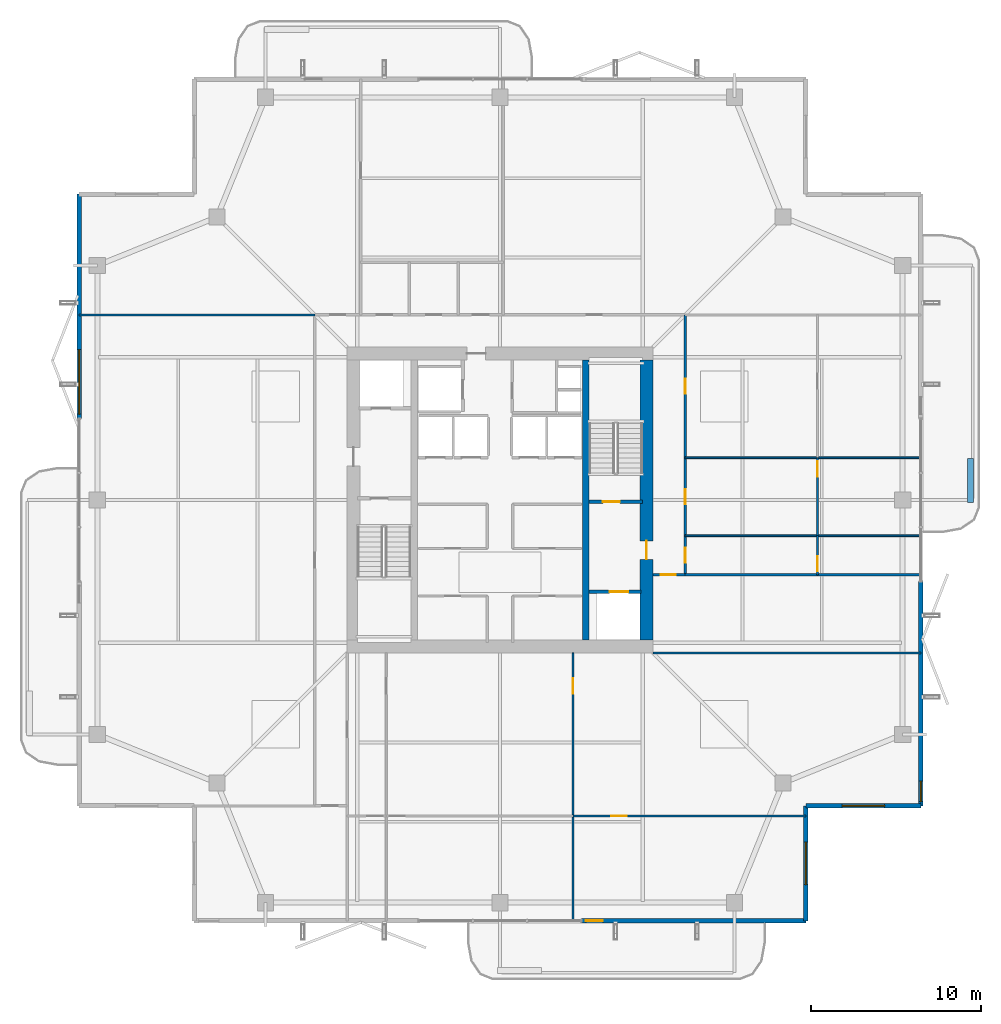
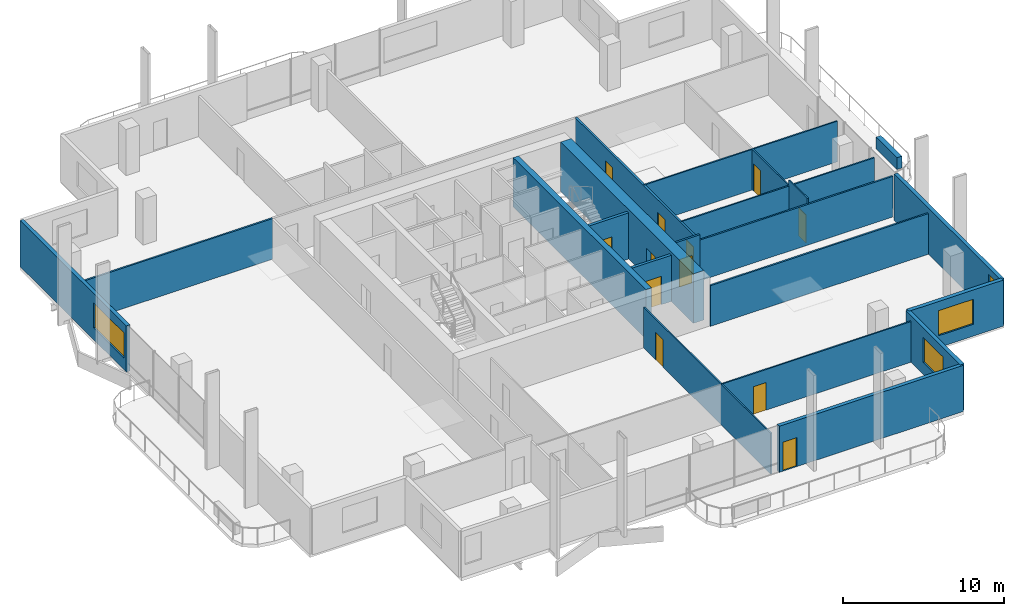
# One storey, part 19 of 25: 21 walls, 12 doors, 4 windows, 16 openings.
"""IFC4 building model written with IfcOpenShell, lengths in metres."""

from ifc_helpers import new_model, si_unit, direction, frame, frame_2d, origin, place, context, subcontext, project, spatial, rectangle, extrude, material, layer, layer_set, type_object, element, fill, save


model = new_model("IFC4")

# Units and contexts
model_context = context("Model", 3, precision=1e-05, world=origin(), true_north=direction((0.0, 1.0)))
body_context = subcontext(model_context, "Body", "Model", "MODEL_VIEW")
ifc_project = project(units=[si_unit("LENGTHUNIT", "METRE"), si_unit("AREAUNIT", "SQUARE_METRE"), si_unit("VOLUMEUNIT", "CUBIC_METRE"), si_unit("PLANEANGLEUNIT", "RADIAN"), si_unit("MASSUNIT", "GRAM", prefix="KILO")], contexts=[model_context])

# Site, building, storey
site_placement = place(None, origin())
site = spatial("IfcSite", under=ifc_project, at=site_placement, CompositionType="ELEMENT")
building_placement = place(site_placement, origin())
building = spatial("IfcBuilding", under=site, at=building_placement, Name="Belovzor Exchange Tower", CompositionType="ELEMENT")
storey_placement = place(building_placement, frame((0.0, 0.0, 250.35009765625)))
storey = spatial("IfcBuildingStorey", under=building, at=storey_placement, Name="L62", CompositionType="ELEMENT", Elevation=250.35009765625)

# Walls
ifc_material_1 = material(Name="Acoustic Plasterboard on Galvanised Studs", Category="gypsum")
ifc_layer_1 = layer(ifc_material_1, 0.1201171875)
ifc_layer_set_1 = layer_set([ifc_layer_1], Name="Acoustic Plasterboard on Galvanised Studs")
wall_type_1 = type_object("IfcWallType", Name="Acoustic Double-Stud Partition Wall 120", PredefinedType="PARTITIONING", material=ifc_layer_set_1)
wall_1_placement = place(storey_placement, frame((37.800048828125, 19.800048828125, 0.0), z_axis=(0.0, 0.0, 1.0), x_axis=(1.0, 0.0, 0.0)))
element("IfcWall", 1, at=wall_1_placement, inside=storey, type_object=wall_type_1, Name="W-P120 Partition Wall W-L62-ESS", PredefinedType="PARTITIONING", context=body_context, shape_type="SweptSolid", body=[
    extrude(rectangle(XDim=15.77001953125, YDim=0.1201171875, at=frame_2d((7.885009765625, 0.0))), origin(), (0.0, 0.0, 1.0), 3.0849609375),
])
wall_2_placement = place(storey_placement, frame((39.699951171875, 24.39990234375, 0.0), z_axis=(0.0, 0.0, 1.0), x_axis=(1.0, 0.0, 0.0)))
element("IfcWall", 2, at=wall_2_placement, inside=storey, type_object=wall_type_1, Name="W-P120 Partition Wall W-L62-ESN", PredefinedType="PARTITIONING", context=body_context, shape_type="SweptSolid", body=[
    extrude(rectangle(XDim=13.8701171875, YDim=0.1201171875, at=frame_2d((6.93505859375, 0.0))), origin(), (0.0, 0.0, 1.0), 3.0849609375),
])
wall_3_placement = place(storey_placement, frame((4.030029296875, 39.699951171875, 0.0), z_axis=(0.0, 0.0, 1.0), x_axis=(1.0, 0.0, 0.0)))
element("IfcWall", 3, at=wall_3_placement, inside=storey, type_object=wall_type_1, Name="W-P120 Partition Wall W-L62-END-NW", PredefinedType="PARTITIONING", context=body_context, shape_type="SweptSolid", body=[
    extrude(rectangle(XDim=13.869873046875, YDim=0.1201171875, at=frame_2d((6.93505859375, 0.0))), origin(), (0.0, 0.0, 1.0), 3.0849609375),
])

# Wall, opening, door
ifc_material_2 = material(Name="Acoustic Laminated Glass and Aluminium", Category="aluminium")
ifc_layer_2 = layer(ifc_material_2, 0.10009765625)
ifc_layer_set_2 = layer_set([ifc_layer_2], Name="Acoustic Laminated Glass and Aluminium")
wall_type_2 = type_object("IfcWallType", Name="Demountable Executive Glass Partition 100", PredefinedType="MOVABLE", material=ifc_layer_set_2)
wall_4_placement = place(storey_placement, frame((33.092041015625, 4.030029296875, 0.0), z_axis=(0.0, 0.0, 1.0), x_axis=(0.0, 1.0, 0.0)))
wall_4 = element("IfcWall", 4, at=wall_4_placement, inside=storey, type_object=wall_type_2, Name="W-M100 Partition Wall W-L62-SDIV-2", PredefinedType="MOVABLE", context=body_context, shape_type="SweptSolid", body=[
    extrude(rectangle(XDim=15.77001953125, YDim=0.10009765625, at=frame_2d((7.885009765625, 0.0))), origin(), (0.0, 0.0, 1.0), 3.0849609375),
])
opening_1_placement = place(wall_4_placement, frame((13.3701171875, 0.0, 0.0)))
opening_1 = element("IfcOpeningElement", 5, at=opening_1_placement, cuts=wall_4, Name="Opening D-INT-090", PredefinedType="OPENING", context=body_context, shape_type="SweptSolid", body=[
    extrude(rectangle(XDim=0.89990234375, YDim=2.10009765625, at=frame_2d((0.449951171875, 1.050048828125))), frame((0.0, 0.06005859375, 0.0), z_axis=(0.0, -1.0, 0.0), x_axis=(1.0, 0.0, 0.0)), (0.0, 0.0, 1.0), 0.1201171875),
])
ifc_material_3 = material(Name="Veneered Hardwood Acoustic Leaf", Category="wood")
door_type_1 = type_object("IfcDoorType", Name="Trading Suite Acoustic Single Door 900x2100", OperationType="NOTDEFINED", PredefinedType="DOOR", material=ifc_material_3)
door_1_placement = place(opening_1_placement, origin())
door_1 = element("IfcDoor", 6, at=door_1_placement, inside=storey, type_object=door_type_1, Name="D-INT-090 Trading Suite Acoustic Single Door 900x2100", OperationType="SINGLE_SWING_LEFT", OverallHeight=2.10009765625, OverallWidth=0.89990234375, PredefinedType="DOOR", context=body_context, shape_type="SweptSolid", body=[
    extrude(rectangle(XDim=0.89990234375, YDim=2.10009765625, at=frame_2d((0.449951171875, 1.050048828125))), frame((0.0, 0.02490234375, 0.0), z_axis=(0.0, -1.0, 0.0), x_axis=(1.0, 0.0, 0.0)), (0.0, 0.0, 1.0), 0.050048828125),
])
fill(opening_1, door_1)

wall_5_placement = place(storey_placement, frame((33.092041015625, 10.200927734375, 0.0), z_axis=(0.0, 0.0, 1.0), x_axis=(1.0, 0.0, 0.0)))
wall_5 = element("IfcWall", 7, at=wall_5_placement, inside=storey, type_object=wall_type_2, Name="W-M100 Partition Wall W-L62-SHDIV-2", PredefinedType="MOVABLE", context=body_context, shape_type="SweptSolid", body=[
    extrude(rectangle(XDim=13.7080078125, YDim=0.10009765625, at=frame_2d((6.85400390625, 0.0))), origin(), (0.0, 0.0, 1.0), 3.0849609375),
])
opening_2_placement = place(wall_5_placement, frame((2.26806640625, 0.0, 0.0)))
opening_2 = element("IfcOpeningElement", 8, at=opening_2_placement, cuts=wall_5, Name="Opening D-INT-090", PredefinedType="OPENING", context=body_context, shape_type="SweptSolid", body=[
    extrude(rectangle(XDim=0.89990234375, YDim=2.10009765625, at=frame_2d((0.449951171875, 1.050048828125))), frame((0.0, 0.06005859375, 0.0), z_axis=(0.0, -1.0, 0.0), x_axis=(1.0, 0.0, 0.0)), (0.0, 0.0, 1.0), 0.1201171875),
])
door_2_placement = place(opening_2_placement, origin())
door_2 = element("IfcDoor", 9, at=door_2_placement, inside=storey, type_object=door_type_1, Name="D-INT-090 Trading Suite Acoustic Single Door 900x2100", OperationType="SINGLE_SWING_LEFT", OverallHeight=2.10009765625, OverallWidth=0.89990234375, PredefinedType="DOOR", context=body_context, shape_type="SweptSolid", body=[
    extrude(rectangle(XDim=0.89990234375, YDim=2.10009765625, at=frame_2d((0.449951171875, 1.050048828125))), frame((0.0, 0.02490234375, 0.0), z_axis=(0.0, -1.0, 0.0), x_axis=(1.0, 0.0, 0.0)), (0.0, 0.0, 1.0), 0.050048828125),
])
fill(opening_2, door_2)

wall_6_placement = place(storey_placement, frame((47.485107421875, 24.39990234375, 0.0), z_axis=(0.0, 0.0, 1.0), x_axis=(0.0, 1.0, 0.0)))
wall_6 = element("IfcWall", 10, at=wall_6_placement, inside=storey, type_object=wall_type_2, Name="W-M100 Partition Wall W-L62-EHDIV-0", PredefinedType="MOVABLE", context=body_context, shape_type="SweptSolid", body=[
    extrude(rectangle(XDim=2.300048828125, YDim=0.10009765625, at=frame_2d((1.14990234375, 0.0))), origin(), (0.0, 0.0, 1.0), 3.5),
])
opening_3_placement = place(wall_6_placement, frame((0.199951171875, 0.0, 0.0)))
opening_3 = element("IfcOpeningElement", 11, at=opening_3_placement, cuts=wall_6, Name="Opening D-INT-090", PredefinedType="OPENING", context=body_context, shape_type="SweptSolid", body=[
    extrude(rectangle(XDim=0.89990234375, YDim=2.10009765625, at=frame_2d((0.449951171875, 1.050048828125))), frame((0.0, 0.06005859375, 0.0), z_axis=(0.0, -1.0, 0.0), x_axis=(1.0, 0.0, 0.0)), (0.0, 0.0, 1.0), 0.1201171875),
])
door_3_placement = place(opening_3_placement, origin())
door_3 = element("IfcDoor", 12, at=door_3_placement, inside=storey, type_object=door_type_1, Name="D-INT-090 Trading Suite Acoustic Single Door 900x2100", OperationType="SINGLE_SWING_RIGHT", OverallHeight=2.10009765625, OverallWidth=0.89990234375, PredefinedType="DOOR", context=body_context, shape_type="SweptSolid", body=[
    extrude(rectangle(XDim=0.89990234375, YDim=2.10009765625, at=frame_2d((0.449951171875, 1.050048828125))), frame((0.0, 0.02490234375, 0.0), z_axis=(0.0, -1.0, 0.0), x_axis=(1.0, 0.0, 0.0)), (0.0, 0.0, 1.0), 0.050048828125),
])
fill(opening_3, door_3)

# Wall
wall_7_placement = place(storey_placement, frame((39.699951171875, 26.699951171875, 0.0), z_axis=(0.0, 0.0, 1.0), x_axis=(1.0, 0.0, 0.0)))
element("IfcWall", 13, at=wall_7_placement, inside=storey, type_object=wall_type_2, Name="W-M100 Partition Wall W-L62-EDIV-1", PredefinedType="MOVABLE", context=body_context, shape_type="SweptSolid", body=[
    extrude(rectangle(XDim=13.8701171875, YDim=0.10009765625, at=frame_2d((6.93505859375, 0.0))), origin(), (0.0, 0.0, 1.0), 3.0849609375),
])

# Wall, opening, door
wall_8_placement = place(storey_placement, frame((47.485107421875, 26.699951171875, 0.0), z_axis=(0.0, 0.0, 1.0), x_axis=(0.0, 1.0, 0.0)))
wall_8 = element("IfcWall", 14, at=wall_8_placement, inside=storey, type_object=wall_type_2, Name="W-M100 Partition Wall W-L62-EHDIV-1", PredefinedType="MOVABLE", context=body_context, shape_type="SweptSolid", body=[
    extrude(rectangle(XDim=4.58203125, YDim=0.10009765625, at=frame_2d((2.291015625, 0.0))), origin(), (0.0, 0.0, 1.0), 3.0849609375),
])
opening_4_placement = place(wall_8_placement, frame((3.48193359375, 0.0, 0.0)))
opening_4 = element("IfcOpeningElement", 15, at=opening_4_placement, cuts=wall_8, Name="Opening D-INT-090", PredefinedType="OPENING", context=body_context, shape_type="SweptSolid", body=[
    extrude(rectangle(XDim=0.89990234375, YDim=2.10009765625, at=frame_2d((0.449951171875, 1.050048828125))), frame((0.0, 0.06005859375, 0.0), z_axis=(0.0, -1.0, 0.0), x_axis=(1.0, 0.0, 0.0)), (0.0, 0.0, 1.0), 0.1201171875),
])
door_4_placement = place(opening_4_placement, origin())
door_4 = element("IfcDoor", 16, at=door_4_placement, inside=storey, type_object=door_type_1, Name="D-INT-090 Trading Suite Acoustic Single Door 900x2100", OperationType="SINGLE_SWING_RIGHT", OverallHeight=2.10009765625, OverallWidth=0.89990234375, PredefinedType="DOOR", context=body_context, shape_type="SweptSolid", body=[
    extrude(rectangle(XDim=0.89990234375, YDim=2.10009765625, at=frame_2d((0.449951171875, 1.050048828125))), frame((0.0, 0.02490234375, 0.0), z_axis=(0.0, -1.0, 0.0), x_axis=(1.0, 0.0, 0.0)), (0.0, 0.0, 1.0), 0.050048828125),
])
fill(opening_4, door_4)

# Wall
wall_9_placement = place(storey_placement, frame((39.699951171875, 31.281982421875, 0.0), z_axis=(0.0, 0.0, 1.0), x_axis=(1.0, 0.0, 0.0)))
element("IfcWall", 17, at=wall_9_placement, inside=storey, type_object=wall_type_2, Name="W-M100 Partition Wall W-L62-EDIV-2", PredefinedType="MOVABLE", context=body_context, shape_type="SweptSolid", body=[
    extrude(rectangle(XDim=13.8701171875, YDim=0.10009765625, at=frame_2d((6.93505859375, 0.0))), origin(), (0.0, 0.0, 1.0), 3.0849609375),
])

# Wall, opening, door
ifc_material_4 = material(Name="Fire-Rated Gypsum Block and Mineral Wool", Category="gypsum")
ifc_layer_3 = layer(ifc_material_4, 0.14990234375)
ifc_layer_set_3 = layer_set([ifc_layer_3], Name="Fire-Rated Gypsum Block and Mineral Wool")
wall_type_3 = type_object("IfcWallType", Name="Fire-Rated Gypsum Block Corridor Wall 150", PredefinedType="PARTITIONING", material=ifc_layer_set_3)
wall_10_placement = place(storey_placement, frame((37.800048828125, 24.39990234375, 0.0), z_axis=(0.0, 0.0, 1.0), x_axis=(1.0, 0.0, 0.0)))
wall_10 = element("IfcWall", 18, at=wall_10_placement, inside=storey, type_object=wall_type_3, Name="W-P150 Partition Wall W-L62-CE-END", PredefinedType="PARTITIONING", context=body_context, shape_type="SweptSolid", body=[
    extrude(rectangle(XDim=1.89990234375, YDim=0.14990234375, at=frame_2d((0.949951171875, 0.0))), origin(), (0.0, 0.0, 1.0), 3.5),
])
opening_5_placement = place(wall_10_placement, frame((0.449951171875, 0.0, 0.0)))
opening_5 = element("IfcOpeningElement", 19, at=opening_5_placement, cuts=wall_10, Name="Opening D-FD60-090", PredefinedType="OPENING", context=body_context, shape_type="SweptSolid", body=[
    extrude(rectangle(XDim=0.89990234375, YDim=2.10009765625, at=frame_2d((0.449951171875, 1.050048828125))), frame((0.0, 0.0849609375, 0.0), z_axis=(0.0, -1.0, 0.0), x_axis=(1.0, 0.0, 0.0)), (0.0, 0.0, 1.0), 0.169921875),
])
ifc_material_5 = material(Name="Acoustic Timber Fire Leaf", Category="wood")
door_type_2 = type_object("IfcDoorType", Name="Core Service & Restroom Fire Door 900x2100", OperationType="NOTDEFINED", PredefinedType="DOOR", material=ifc_material_5)
door_5_placement = place(opening_5_placement, origin())
door_5 = element("IfcDoor", 20, at=door_5_placement, inside=storey, type_object=door_type_2, Name="D-FD60-090 Core Service & Restroom Fire Door 900x2100", OperationType="SINGLE_SWING_LEFT", OverallHeight=2.10009765625, OverallWidth=0.89990234375, PredefinedType="DOOR", context=body_context, shape_type="SweptSolid", body=[
    extrude(rectangle(XDim=0.89990234375, YDim=2.10009765625, at=frame_2d((0.449951171875, 1.050048828125))), frame((0.0, 0.02490234375, 0.0), z_axis=(0.0, -1.0, 0.0), x_axis=(1.0, 0.0, 0.0)), (0.0, 0.0, 1.0), 0.050048828125),
])
fill(opening_5, door_5)

# Wall, openings, doors
wall_11_placement = place(storey_placement, frame((39.699951171875, 24.39990234375, 0.0), z_axis=(0.0, 0.0, 1.0), x_axis=(0.0, 1.0, 0.0)))
wall_11 = element("IfcWall", 21, at=wall_11_placement, inside=storey, type_object=wall_type_3, Name="W-P150 Partition Wall W-L62-CE", PredefinedType="PARTITIONING", context=body_context, shape_type="SweptSolid", body=[
    extrude(rectangle(XDim=15.300048828125, YDim=0.14990234375, at=frame_2d((7.64990234375, 0.0))), origin(), (0.0, 0.0, 1.0), 3.0849609375),
])
opening_6_placement = place(wall_11_placement, frame((0.699951171875, 0.0, 0.0)))
opening_6 = element("IfcOpeningElement", 22, at=opening_6_placement, cuts=wall_11, Name="Opening D-INT-090", PredefinedType="OPENING", context=body_context, shape_type="SweptSolid", body=[
    extrude(rectangle(XDim=0.89990234375, YDim=2.10009765625, at=frame_2d((0.449951171875, 1.050048828125))), frame((0.0, 0.0849609375, 0.0), z_axis=(0.0, -1.0, 0.0), x_axis=(1.0, 0.0, 0.0)), (0.0, 0.0, 1.0), 0.169921875),
])
opening_7_placement = place(wall_11_placement, frame((4.14111328125, 0.0, 0.0)))
opening_7 = element("IfcOpeningElement", 23, at=opening_7_placement, cuts=wall_11, Name="Opening D-INT-090", PredefinedType="OPENING", context=body_context, shape_type="SweptSolid", body=[
    extrude(rectangle(XDim=0.89990234375, YDim=2.10009765625, at=frame_2d((0.449951171875, 1.050048828125))), frame((0.0, 0.0849609375, 0.0), z_axis=(0.0, -1.0, 0.0), x_axis=(1.0, 0.0, 0.0)), (0.0, 0.0, 1.0), 0.169921875),
])
opening_8_placement = place(wall_11_placement, frame((10.64111328125, 0.0, 0.0)))
opening_8 = element("IfcOpeningElement", 24, at=opening_8_placement, cuts=wall_11, Name="Opening D-INT-090", PredefinedType="OPENING", context=body_context, shape_type="SweptSolid", body=[
    extrude(rectangle(XDim=0.89990234375, YDim=2.10009765625, at=frame_2d((0.449951171875, 1.050048828125))), frame((0.0, 0.0849609375, 0.0), z_axis=(0.0, -1.0, 0.0), x_axis=(1.0, 0.0, 0.0)), (0.0, 0.0, 1.0), 0.169921875),
])
door_6_placement = place(opening_6_placement, origin())
door_6 = element("IfcDoor", 25, at=door_6_placement, inside=storey, type_object=door_type_1, Name="D-INT-090 Trading Suite Acoustic Single Door 900x2100", OperationType="SINGLE_SWING_RIGHT", OverallHeight=2.10009765625, OverallWidth=0.89990234375, PredefinedType="DOOR", context=body_context, shape_type="SweptSolid", body=[
    extrude(rectangle(XDim=0.89990234375, YDim=2.10009765625, at=frame_2d((0.449951171875, 1.050048828125))), frame((0.0, 0.02490234375, 0.0), z_axis=(0.0, -1.0, 0.0), x_axis=(1.0, 0.0, 0.0)), (0.0, 0.0, 1.0), 0.050048828125),
])
fill(opening_6, door_6)
door_7_placement = place(opening_7_placement, origin())
door_7 = element("IfcDoor", 26, at=door_7_placement, inside=storey, type_object=door_type_1, Name="D-INT-090 Trading Suite Acoustic Single Door 900x2100", OperationType="SINGLE_SWING_LEFT", OverallHeight=2.10009765625, OverallWidth=0.89990234375, PredefinedType="DOOR", context=body_context, shape_type="SweptSolid", body=[
    extrude(rectangle(XDim=0.89990234375, YDim=2.10009765625, at=frame_2d((0.449951171875, 1.050048828125))), frame((0.0, 0.02490234375, 0.0), z_axis=(0.0, -1.0, 0.0), x_axis=(1.0, 0.0, 0.0)), (0.0, 0.0, 1.0), 0.050048828125),
])
fill(opening_7, door_7)
door_8_placement = place(opening_8_placement, origin())
door_8 = element("IfcDoor", 27, at=door_8_placement, inside=storey, type_object=door_type_1, Name="D-INT-090 Trading Suite Acoustic Single Door 900x2100", OperationType="SINGLE_SWING_RIGHT", OverallHeight=2.10009765625, OverallWidth=0.89990234375, PredefinedType="DOOR", context=body_context, shape_type="SweptSolid", body=[
    extrude(rectangle(XDim=0.89990234375, YDim=2.10009765625, at=frame_2d((0.449951171875, 1.050048828125))), frame((0.0, 0.02490234375, 0.0), z_axis=(0.0, -1.0, 0.0), x_axis=(1.0, 0.0, 0.0)), (0.0, 0.0, 1.0), 0.050048828125),
])
fill(opening_8, door_8)

# Wall, opening, window
ifc_material_6 = material(Name="Precast concrete C40/50", Category="concrete")
ifc_layer_4 = layer(ifc_material_6, 0.280029296875)
ifc_layer_set_4 = layer_set([ifc_layer_4], Name="Precast concrete C40/50")
wall_type_4 = type_object("IfcWallType", Name="Precast Concrete Notched Corner Frame Wall 280", PredefinedType="SOLIDWALL", material=ifc_layer_set_4)
wall_12_placement = place(storey_placement, frame((53.570068359375, 10.800048828125, 0.0), z_axis=(0.0, 0.0, 1.0), x_axis=(-1.0, 0.0, 0.0)))
wall_12 = element("IfcWall", 28, at=wall_12_placement, inside=storey, type_object=wall_type_4, Name="W-CRN280 Precast Concrete Notched Corner Frame Wall 280 L62", PredefinedType="SOLIDWALL", context=body_context, shape_type="SweptSolid", body=[
    extrude(rectangle(XDim=6.77001953125, YDim=0.280029296875, at=frame_2d((3.385009765625, 0.0))), origin(), (0.0, 0.0, 1.0), 3.5),
])
opening_9_placement = place(wall_12_placement, frame((2.135009765625, 0.0, 0.89990234375)))
opening_9 = element("IfcOpeningElement", 29, at=opening_9_placement, cuts=wall_12, Name="Opening WN-CRN250", PredefinedType="OPENING", context=body_context, shape_type="SweptSolid", body=[
    extrude(rectangle(XDim=2.5, YDim=1.89990234375, at=frame_2d((1.25, 0.949951171875))), frame((0.0, 0.14990234375, 0.0), z_axis=(0.0, -1.0, 0.0), x_axis=(1.0, 0.0, 0.0)), (0.0, 0.0, 1.0), 0.300048828125),
])
ifc_material_7 = material(Name="Thermally Broken Aluminium and Triple Glazing", Category="aluminium")
window_type_1 = type_object("IfcWindowType", Name="Streamline Moderne Corner Wrap Ribbon Window 2500x1900", PartitioningType="SINGLE_PANEL", PredefinedType="WINDOW", material=ifc_material_7)
window_1_placement = place(opening_9_placement, origin())
window_1 = element("IfcWindow", 30, at=window_1_placement, inside=storey, type_object=window_type_1, Name="WN-CRN250 Streamline Moderne Corner Wrap Ribbon Window 2500x1900", OverallHeight=1.89990234375, OverallWidth=2.5, PartitioningType="SINGLE_PANEL", PredefinedType="WINDOW", context=body_context, shape_type="SweptSolid", body=[
    extrude(rectangle(XDim=2.5, YDim=1.89990234375, at=frame_2d((1.25, 0.949951171875))), frame((0.0, 0.030029296875, 0.0), z_axis=(0.0, -1.0, 0.0), x_axis=(1.0, 0.0, 0.0)), (0.0, 0.0, 1.0), 0.06005859375),
])
fill(opening_9, window_1)

wall_13_placement = place(storey_placement, frame((46.800048828125, 10.800048828125, 0.0), z_axis=(0.0, 0.0, 1.0), x_axis=(0.0, -1.0, 0.0)))
wall_13 = element("IfcWall", 31, at=wall_13_placement, inside=storey, type_object=wall_type_4, Name="W-CRN280 Precast Concrete Notched Corner Frame Wall 280 L62", PredefinedType="SOLIDWALL", context=body_context, shape_type="SweptSolid", body=[
    extrude(rectangle(XDim=6.77001953125, YDim=0.280029296875, at=frame_2d((3.385009765625, 0.0))), origin(), (0.0, 0.0, 1.0), 3.5),
])
opening_10_placement = place(wall_13_placement, frame((2.135009765625, 0.0, 0.89990234375)))
opening_10 = element("IfcOpeningElement", 32, at=opening_10_placement, cuts=wall_13, Name="Opening WN-CRN250", PredefinedType="OPENING", context=body_context, shape_type="SweptSolid", body=[
    extrude(rectangle(XDim=2.5, YDim=1.89990234375, at=frame_2d((1.25, 0.949951171875))), frame((0.0, 0.14990234375, 0.0), z_axis=(0.0, -1.0, 0.0), x_axis=(1.0, 0.0, 0.0)), (0.0, 0.0, 1.0), 0.300048828125),
])
window_2_placement = place(opening_10_placement, origin())
window_2 = element("IfcWindow", 33, at=window_2_placement, inside=storey, type_object=window_type_1, Name="WN-CRN250 Streamline Moderne Corner Wrap Ribbon Window 2500x1900", OverallHeight=1.89990234375, OverallWidth=2.5, PartitioningType="SINGLE_PANEL", PredefinedType="WINDOW", context=body_context, shape_type="SweptSolid", body=[
    extrude(rectangle(XDim=2.5, YDim=1.89990234375, at=frame_2d((1.25, 0.949951171875))), frame((0.0, 0.030029296875, 0.0), z_axis=(0.0, -1.0, 0.0), x_axis=(1.0, 0.0, 0.0)), (0.0, 0.0, 1.0), 0.06005859375),
])
fill(opening_10, window_2)

# Wall, opening, door
ifc_material_8 = material(Name="Precast concrete C40/50", Category="concrete")
ifc_layer_5 = layer(ifc_material_8, 0.260009765625)
ifc_layer_set_5 = layer_set([ifc_layer_5], Name="Precast concrete C40/50")
wall_type_5 = type_object("IfcWallType", Name="Precast Concrete Perimeter Loggia Frame Wall 260", PredefinedType="SOLIDWALL", material=ifc_layer_set_5)
wall_14_placement = place(storey_placement, frame((46.800048828125, 4.030029296875, 0.0), z_axis=(0.0, 0.0, 1.0), x_axis=(-1.0, 0.0, 0.0)))
wall_14 = element("IfcWall", 34, at=wall_14_placement, inside=storey, type_object=wall_type_5, Name="W-EXT260 Precast Concrete Perimeter Loggia Frame Wall 260 L62", PredefinedType="SOLIDWALL", context=body_context, shape_type="SweptSolid", body=[
    extrude(rectangle(XDim=13.199951171875, YDim=0.260009765625, at=frame_2d((6.60009765625, 0.0))), origin(), (0.0, 0.0, 1.0), 3.5),
])
opening_11_placement = place(wall_14_placement, frame((11.949951171875, 0.0, 0.0)))
opening_11 = element("IfcOpeningElement", 35, at=opening_11_placement, cuts=wall_14, Name="Opening D-BAL100", PredefinedType="OPENING", context=body_context, shape_type="SweptSolid", body=[
    extrude(rectangle(XDim=1.0, YDim=2.199951171875, at=frame_2d((0.5, 1.10009765625))), frame((0.0, 0.139892578125, 0.0), z_axis=(0.0, -1.0, 0.0), x_axis=(1.0, 0.0, 0.0)), (0.0, 0.0, 1.0), 0.280029296875),
])
ifc_material_9 = material(Name="Thermally Broken Anodised Aluminium and Laminated Glass", Category="aluminium")
door_type_3 = type_object("IfcDoorType", Name="Planted Loggia Terrace Glazed Door 1000x2200", OperationType="SINGLE_SWING_LEFT", PredefinedType="DOOR", material=ifc_material_9)
door_9_placement = place(opening_11_placement, origin())
door_9 = element("IfcDoor", 36, at=door_9_placement, inside=storey, type_object=door_type_3, Name="D-BAL100 Balcony Terrace Door L62 S", OperationType="SINGLE_SWING_LEFT", OverallHeight=2.199951171875, OverallWidth=1.0, PredefinedType="DOOR", context=body_context, shape_type="SweptSolid", body=[
    extrude(rectangle(XDim=1.0, YDim=2.199951171875, at=frame_2d((0.5, 1.10009765625))), frame((0.0, 0.02490234375, 0.0), z_axis=(0.0, -1.0, 0.0), x_axis=(1.0, 0.0, 0.0)), (0.0, 0.0, 1.0), 0.050048828125),
])
fill(opening_11, door_9)

# Wall, opening, window
wall_15_placement = place(storey_placement, frame((4.030029296875, 33.60009765625, 0.0), z_axis=(0.0, 0.0, 1.0), x_axis=(0.0, 1.0, 0.0)))
wall_15 = element("IfcWall", 37, at=wall_15_placement, inside=storey, type_object=wall_type_5, Name="W-EXT260 Precast Concrete Perimeter Loggia Frame Wall 260 L62", PredefinedType="SOLIDWALL", context=body_context, shape_type="SweptSolid", body=[
    extrude(rectangle(XDim=13.199951171875, YDim=0.260009765625, at=frame_2d((6.60009765625, 0.0))), origin(), (0.0, 0.0, 1.0), 3.5),
])
opening_12_placement = place(wall_15_placement, frame((0.25, 0.0, 0.89990234375)))
opening_12 = element("IfcOpeningElement", 38, at=opening_12_placement, cuts=wall_15, Name="Opening WN-RIB380", PredefinedType="OPENING", context=body_context, shape_type="SweptSolid", body=[
    extrude(rectangle(XDim=3.800048828125, YDim=1.89990234375, at=frame_2d((1.89990234375, 0.949951171875))), frame((0.0, 0.139892578125, 0.0), z_axis=(0.0, -1.0, 0.0), x_axis=(1.0, 0.0, 0.0)), (0.0, 0.0, 1.0), 0.280029296875),
])
ifc_material_10 = material(Name="Thermally Broken Aluminium and Triple Glazing", Category="aluminium")
window_type_2 = type_object("IfcWindowType", Name="Streamline Moderne Horizontal Ribbon Window 3800x1900", PartitioningType="SINGLE_PANEL", PredefinedType="WINDOW", material=ifc_material_10)
window_3_placement = place(opening_12_placement, origin())
window_3 = element("IfcWindow", 39, at=window_3_placement, inside=storey, type_object=window_type_2, Name="WN-RIB380 Streamline Moderne Horizontal Ribbon Window 3800x1900", OverallHeight=1.89990234375, OverallWidth=3.800048828125, PartitioningType="SINGLE_PANEL", PredefinedType="WINDOW", context=body_context, shape_type="SweptSolid", body=[
    extrude(rectangle(XDim=3.800048828125, YDim=1.89990234375, at=frame_2d((1.89990234375, 0.949951171875))), frame((0.0, 0.030029296875, 0.0), z_axis=(0.0, -1.0, 0.0), x_axis=(1.0, 0.0, 0.0)), (0.0, 0.0, 1.0), 0.06005859375),
])
fill(opening_12, window_3)

wall_16_placement = place(storey_placement, frame((53.570068359375, 24.0, 0.0), z_axis=(0.0, 0.0, 1.0), x_axis=(0.0, -1.0, 0.0)))
wall_16 = element("IfcWall", 40, at=wall_16_placement, inside=storey, type_object=wall_type_5, Name="W-EXT260 Precast Concrete Perimeter Loggia Frame Wall 260 L62", PredefinedType="SOLIDWALL", context=body_context, shape_type="SweptSolid", body=[
    extrude(rectangle(XDim=13.199951171875, YDim=0.260009765625, at=frame_2d((6.60009765625, 0.0))), origin(), (0.0, 0.0, 1.0), 3.5),
])
opening_13_placement = place(wall_16_placement, frame((11.75, 0.0, 0.89990234375)))
opening_13 = element("IfcOpeningElement", 41, at=opening_13_placement, cuts=wall_16, Name="Opening WN-CRN120", PredefinedType="OPENING", context=body_context, shape_type="SweptSolid", body=[
    extrude(rectangle(XDim=1.199951171875, YDim=2.10009765625, at=frame_2d((0.60009765625, 1.050048828125))), frame((0.0, 0.139892578125, 0.0), z_axis=(0.0, -1.0, 0.0), x_axis=(1.0, 0.0, 0.0)), (0.0, 0.0, 1.0), 0.280029296875),
])
ifc_material_11 = material(Name="Thermally Broken Aluminium and Triple Glazing", Category="aluminium")
window_type_3 = type_object("IfcWindowType", Name="Streamline Notched Corner Window 1200x2100", PartitioningType="SINGLE_PANEL", PredefinedType="WINDOW", material=ifc_material_11)
window_4_placement = place(opening_13_placement, origin())
window_4 = element("IfcWindow", 42, at=window_4_placement, inside=storey, type_object=window_type_3, Name="WN-CRN120 Streamline Notched Corner Window 1200x2100", OverallHeight=2.10009765625, OverallWidth=1.199951171875, PartitioningType="SINGLE_PANEL", PredefinedType="WINDOW", context=body_context, shape_type="SweptSolid", body=[
    extrude(rectangle(XDim=1.199951171875, YDim=2.10009765625, at=frame_2d((0.60009765625, 1.050048828125))), frame((0.0, 0.030029296875, 0.0), z_axis=(0.0, -1.0, 0.0), x_axis=(1.0, 0.0, 0.0)), (0.0, 0.0, 1.0), 0.06005859375),
])
fill(opening_13, window_4)

# Walls
ifc_material_12 = material(Name="Precast concrete C40/50", Category="concrete")
ifc_layer_6 = layer(ifc_material_12, 0.35009765625)
ifc_layer_set_6 = layer_set([ifc_layer_6], Name="Precast concrete C40/50")
wall_type_6 = type_object("IfcWallType", Name="Precast Concrete Structural Tree Planter Trough 350", PredefinedType="PARAPET", material=ifc_layer_set_6)
wall_17_placement = place(storey_placement, frame((56.5, 28.64990234375, 0.0), z_axis=(0.0, 0.0, 1.0), x_axis=(0.0, 1.0, 0.0)))
element("IfcWall", 43, at=wall_17_placement, inside=storey, type_object=wall_type_6, Name="PT-350 Precast Concrete Structural Tree Planter Trough 350 L62", PredefinedType="PARAPET", context=body_context, shape_type="SweptSolid", body=[
    extrude(rectangle(XDim=2.60009765625, YDim=0.35009765625, at=frame_2d((1.300048828125, 0.0))), origin(), (0.0, 0.0, 1.0), 0.89990234375),
])
ifc_material_13 = material(Name="Concrete C50/60", Category="concrete")
ifc_layer_7 = layer(ifc_material_13, 0.39990234375)
ifc_layer_set_7 = layer_set([ifc_layer_7], Name="Concrete C50/60")
wall_type_7 = type_object("IfcWallType", Name="Reinforced Concrete Core Internal Web Wall 400", PredefinedType="SHEAR", material=ifc_layer_set_7)
wall_18_placement = place(storey_placement, frame((33.85009765625, 20.550048828125, 0.0), z_axis=(0.0, 0.0, 1.0), x_axis=(0.0, 1.0, 0.0)))
element("IfcWall", 44, at=wall_18_placement, inside=storey, type_object=wall_type_7, Name="CW-W040 Core Internal Web Wall L62 ER", PredefinedType="SHEAR", context=body_context, shape_type="SweptSolid", body=[
    extrude(rectangle(XDim=16.5, YDim=0.39990234375, at=frame_2d((8.25, 0.0))), origin(), (0.0, 0.0, 1.0), 3.75),
])

# Wall, opening, door
ifc_material_14 = material(Name="Concrete C50/60", Category="concrete")
ifc_layer_8 = layer(ifc_material_14, 0.199951171875)
ifc_layer_set_8 = layer_set([ifc_layer_8], Name="Concrete C50/60")
wall_type_8 = type_object("IfcWallType", Name="Reinforced Concrete Core Shaft Shear Wall 200", PredefinedType="SHEAR", material=ifc_layer_set_8)
wall_19_placement = place(storey_placement, frame((34.050048828125, 28.699951171875, 0.0), z_axis=(0.0, 0.0, 1.0), x_axis=(1.0, 0.0, 0.0)))
wall_19 = element("IfcWall", 45, at=wall_19_placement, inside=storey, type_object=wall_type_8, Name="W-C200S Core Shaft Wall W-CORE-L62-FFLE2", PredefinedType="SHEAR", context=body_context, shape_type="SweptSolid", body=[
    extrude(rectangle(XDim=3.14990234375, YDim=0.199951171875, at=frame_2d((1.574951171875, 0.0))), origin(), (0.0, 0.0, 1.0), 3.5),
])
opening_14_placement = place(wall_19_placement, frame((0.800048828125, 0.0, 0.0)))
opening_14 = element("IfcOpeningElement", 46, at=opening_14_placement, cuts=wall_19, Name="Opening D-FD90-100", PredefinedType="OPENING", context=body_context, shape_type="SweptSolid", body=[
    extrude(rectangle(XDim=1.0, YDim=2.10009765625, at=frame_2d((0.5, 1.050048828125))), frame((0.0, 0.10986328125, 0.0), z_axis=(0.0, -1.0, 0.0), x_axis=(1.0, 0.0, 0.0)), (0.0, 0.0, 1.0), 0.219970703125),
])
ifc_material_15 = material(Name="Fire-Rated Galvanised Steel Leaf", Category="steel")
door_type_4 = type_object("IfcDoorType", Name="Protected Stairwell Single Fire Door 1000x2100", OperationType="NOTDEFINED", PredefinedType="DOOR", material=ifc_material_15)
door_10_placement = place(opening_14_placement, origin())
door_10 = element("IfcDoor", 47, at=door_10_placement, inside=storey, type_object=door_type_4, Name="D-FD90-100 Protected Stairwell Single Fire Door 1000x2100", OperationType="SINGLE_SWING_LEFT", OverallHeight=2.10009765625, OverallWidth=1.0, PredefinedType="DOOR", context=body_context, shape_type="SweptSolid", body=[
    extrude(rectangle(XDim=1.0, YDim=2.10009765625, at=frame_2d((0.5, 1.050048828125))), frame((0.0, 0.02490234375, 0.0), z_axis=(0.0, -1.0, 0.0), x_axis=(1.0, 0.0, 0.0)), (0.0, 0.0, 1.0), 0.050048828125),
])
fill(opening_14, door_10)

wall_20_placement = place(storey_placement, frame((34.050048828125, 23.39990234375, 0.0), z_axis=(0.0, 0.0, 1.0), x_axis=(1.0, 0.0, 0.0)))
wall_20 = element("IfcWall", 48, at=wall_20_placement, inside=storey, type_object=wall_type_8, Name="W-C200S Core Shaft Wall W-SH-L62-FFL-02", PredefinedType="SHEAR", context=body_context, shape_type="SweptSolid", body=[
    extrude(rectangle(XDim=3.050048828125, YDim=0.199951171875, at=frame_2d((1.52490234375, 0.0))), origin(), (0.0, 0.0, 1.0), 3.5),
])
opening_15_placement = place(wall_20_placement, frame((1.199951171875, 0.0, 0.0)))
opening_15 = element("IfcOpeningElement", 49, at=opening_15_placement, cuts=wall_20, Name="Opening LD-110", PredefinedType="OPENING", context=body_context, shape_type="SweptSolid", body=[
    extrude(rectangle(XDim=1.10009765625, YDim=2.14990234375, at=frame_2d((0.550048828125, 1.074951171875))), frame((0.0, 0.10986328125, 0.0), z_axis=(0.0, -1.0, 0.0), x_axis=(1.0, 0.0, 0.0)), (0.0, 0.0, 1.0), 0.219970703125),
])
ifc_material_16 = material(Name="Stainless Steel Grade 304", Category="steel")
door_type_5 = type_object("IfcDoorType", Name="Automated Stainless Steel Lift Landing Door 1100x2150", OperationType="SLIDING_TO_RIGHT", PredefinedType="DOOR", material=ifc_material_16)
door_11_placement = place(opening_15_placement, origin())
door_11 = element("IfcDoor", 50, at=door_11_placement, inside=storey, type_object=door_type_5, Name="LD-110 Automated Stainless Steel Lift Landing Door 1100x2150", OperationType="SLIDING_TO_RIGHT", OverallHeight=2.14990234375, OverallWidth=1.10009765625, PredefinedType="DOOR", context=body_context, shape_type="SweptSolid", body=[
    extrude(rectangle(XDim=1.10009765625, YDim=2.14990234375, at=frame_2d((0.550048828125, 1.074951171875))), frame((0.0, 0.02490234375, 0.0), z_axis=(0.0, -1.0, 0.0), x_axis=(1.0, 0.0, 0.0)), (0.0, 0.0, 1.0), 0.050048828125),
])
fill(opening_15, door_11)

ifc_material_17 = material(Name="Concrete C50/60", Category="concrete")
ifc_layer_9 = layer(ifc_material_17, 0.75)
ifc_layer_set_9 = layer_set([ifc_layer_9], Name="Concrete C50/60")
wall_type_9 = type_object("IfcWallType", Name="Reinforced Concrete Core Shear Wall 750", PredefinedType="SHEAR", material=ifc_layer_set_9)
wall_21_placement = place(storey_placement, frame((37.425048828125, 20.550048828125, 0.0), z_axis=(0.0, 0.0, 1.0), x_axis=(0.0, 1.0, 0.0)))
wall_21 = element("IfcWall", 51, at=wall_21_placement, inside=storey, type_object=wall_type_9, Name="CW-S075 Core Shear Wall L62 E", PredefinedType="SHEAR", context=body_context, shape_type="SweptSolid", body=[
    extrude(rectangle(XDim=16.5, YDim=0.75, at=frame_2d((8.25, 0.0))), origin(), (0.0, 0.0, 1.0), 3.75),
])
opening_16_placement = place(wall_21_placement, frame((4.75, 0.0, 0.0)))
opening_16 = element("IfcOpeningElement", 52, at=opening_16_placement, cuts=wall_21, Name="Opening D-FD90-110", PredefinedType="OPENING", context=body_context, shape_type="SweptSolid", body=[
    extrude(rectangle(XDim=1.10009765625, YDim=2.14990234375, at=frame_2d((0.550048828125, 1.074951171875))), frame((0.0, 0.385009765625, 0.0), z_axis=(0.0, -1.0, 0.0), x_axis=(1.0, 0.0, 0.0)), (0.0, 0.0, 1.0), 0.77001953125),
])
ifc_material_18 = material(Name="Fire-Rated Galvanised Steel Leaf", Category="steel")
door_type_6 = type_object("IfcDoorType", Name="Protected Escape Vestibule Fire Door 1100x2150", OperationType="NOTDEFINED", PredefinedType="DOOR", material=ifc_material_18)
door_12_placement = place(opening_16_placement, origin())
door_12 = element("IfcDoor", 53, at=door_12_placement, inside=storey, type_object=door_type_6, Name="D-FD90-110 Protected Escape Vestibule Fire Door 1100x2150", OperationType="SINGLE_SWING_RIGHT", OverallHeight=2.14990234375, OverallWidth=1.10009765625, PredefinedType="DOOR", context=body_context, shape_type="SweptSolid", body=[
    extrude(rectangle(XDim=1.10009765625, YDim=2.14990234375, at=frame_2d((0.550048828125, 1.074951171875))), frame((0.0, 0.02490234375, 0.0), z_axis=(0.0, -1.0, 0.0), x_axis=(1.0, 0.0, 0.0)), (0.0, 0.0, 1.0), 0.050048828125),
])
fill(opening_16, door_12)

save(model, "model.ifc")
